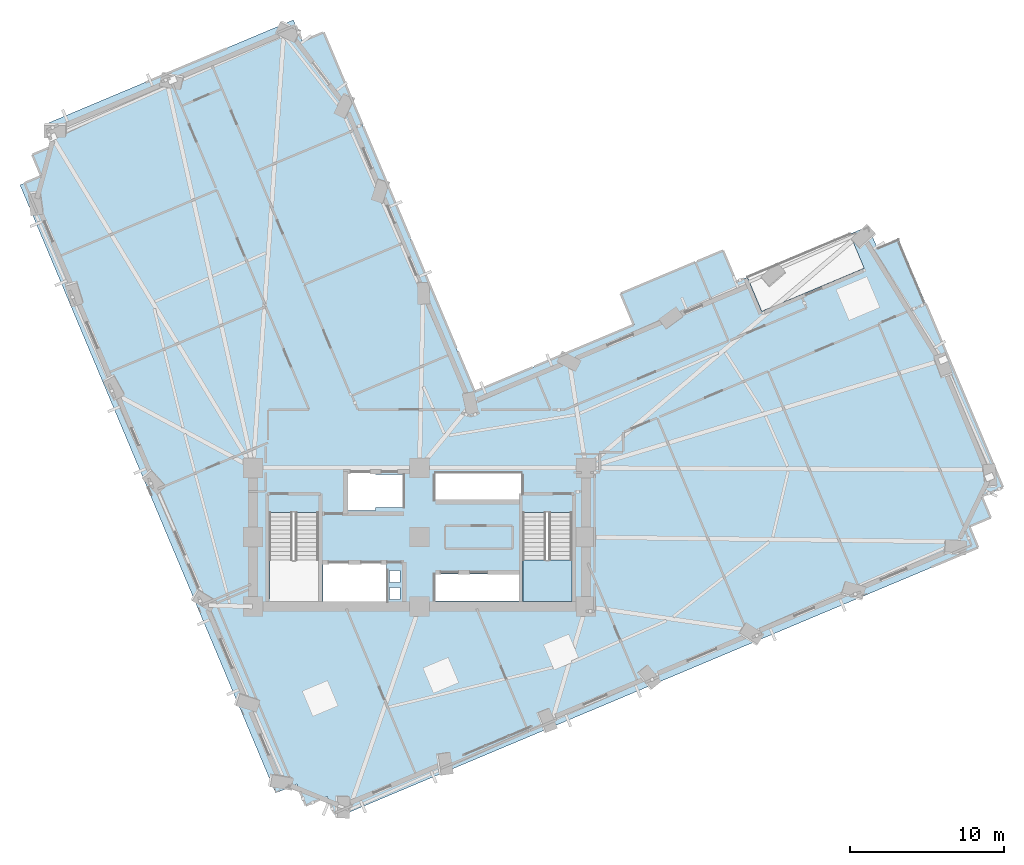
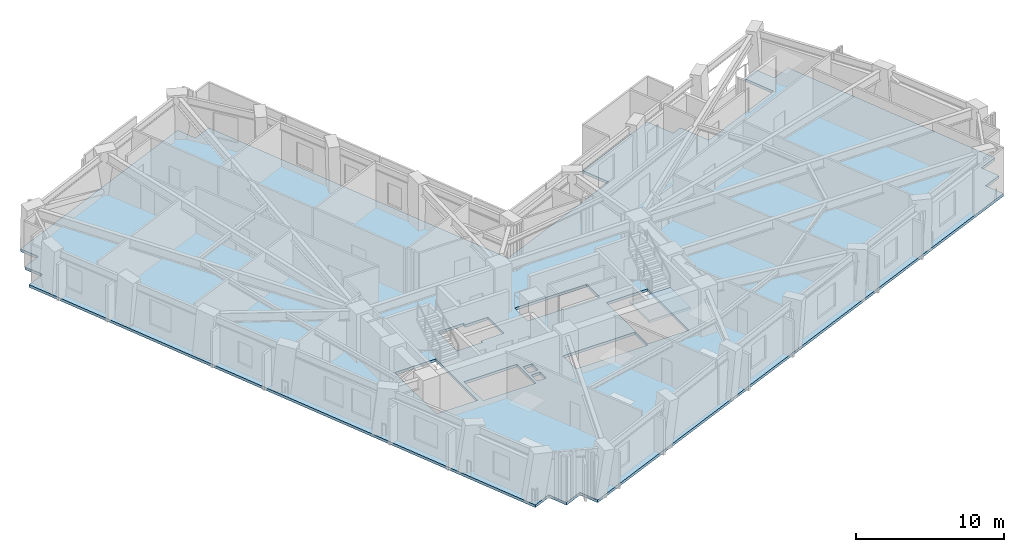
# One storey, part 7 of 18: 2 slabs, 1 element without a shape of its own.
"""IFC4 building model written with IfcOpenShell, lengths in metres."""

import ifcopenshell
import ifcopenshell.guid

model = None  # the IFC model being written
_history = None  # IfcOwnerHistory: only IFC2X3 demands one
_inside = {}  # id of a spatial element -> (the spatial element, [elements in it])
_under = {}  # id of a project, library or spatial element -> (it, [spatial elements below it])
_declared = {}  # id of a project -> (the project, [libraries it declares])
_typed = {}  # id of a type object -> (the type object, [elements of that type])
_made_of = {}  # id of a material, layer set ... -> (it, [elements and type objects made of it])


def new_model(schema):
    """Start an empty IFC model of exactly this schema.

    Asked for "IFC4X3", IfcOpenShell would pick the latest addendum, in which some entities
    have other attributes; the version numbers below select the first issue.
    IFC2X3 requires an IfcOwnerHistory on every rooted entity: one is made here for all.
    """
    global model, _history
    if schema == "IFC4X3":
        model = ifcopenshell.file(schema_version=(4, 3, 0, 0))
    else:
        model = ifcopenshell.file(schema=schema)
    _inside.clear()
    _under.clear()
    _declared.clear()
    _typed.clear()
    _made_of.clear()
    _history = None
    if model.schema == "IFC2X3":
        org = make("IfcOrganization", Name="unknown")
        user = make(
            "IfcPersonAndOrganization",
            ThePerson=make("IfcPerson", FamilyName="unknown"),
            TheOrganization=org,
        )
        app = make(
            "IfcApplication",
            ApplicationDeveloper=org,
            Version="unknown",
            ApplicationFullName="unknown",
            ApplicationIdentifier="unknown",
        )
        _history = make(
            "IfcOwnerHistory",
            OwningUser=user,
            OwningApplication=app,
            ChangeAction="ADDED",
            CreationDate=0,
        )
    return model


def make(cls, **values):
    """One entity of the class cls with the attributes given. An attribute that is None is left unset."""
    return model.create_entity(
        cls, **{name: value for name, value in values.items() if value is not None}
    )


def rooted(cls, **values):
    """An entity with a GlobalId (a new one), such as an element, a storey or a relation."""
    return make(cls, GlobalId=ifcopenshell.guid.new(), OwnerHistory=_history, **values)


def si_unit(unit_type, name, prefix=None):
    """IfcSIUnit, for example si_unit("LENGTHUNIT", "METRE", prefix="MILLI")."""
    return make("IfcSIUnit", UnitType=unit_type, Prefix=prefix, Name=name)


def assignment(units):
    """IfcUnitAssignment: the units of a project."""
    return None if units is None else make("IfcUnitAssignment", Units=units)


def point(xyz):
    """IfcCartesianPoint."""
    return None if xyz is None else make("IfcCartesianPoint", Coordinates=xyz)


def direction(xyz):
    """IfcDirection."""
    return None if xyz is None else make("IfcDirection", DirectionRatios=xyz)


def frame(location, z_axis=None, x_axis=None):
    """IfcAxis2Placement3D, a coordinate frame: its origin and axes. An axis left out is left unset."""
    return make(
        "IfcAxis2Placement3D",
        Location=point(location),
        Axis=direction(z_axis),
        RefDirection=direction(x_axis),
    )


def origin():
    """The frame at (0, 0, 0) with its axes left unset."""
    return frame((0.0, 0.0, 0.0))


def place(relative_to, where):
    """IfcLocalPlacement: puts the frame where relative to a parent placement (None: the world)."""
    return make(
        "IfcLocalPlacement", PlacementRelTo=relative_to, RelativePlacement=where
    )


def context(
    kind, dimensions, precision=None, world=None, true_north=None, identifier=None
):
    """IfcGeometricRepresentationContext, for example the 3D "Model" context."""
    return make(
        "IfcGeometricRepresentationContext",
        ContextIdentifier=identifier,
        ContextType=kind,
        CoordinateSpaceDimension=dimensions,
        Precision=precision,
        WorldCoordinateSystem=world,
        TrueNorth=true_north,
    )


def subcontext(parent, identifier, kind, view, scale=None):
    """IfcGeometricRepresentationSubContext, for example "Body" below "Model"."""
    return make(
        "IfcGeometricRepresentationSubContext",
        ContextIdentifier=identifier,
        ContextType=kind,
        ParentContext=parent,
        TargetScale=scale,
        TargetView=view,
    )


def project(units=None, contexts=None):
    """IfcProject with its units and contexts."""
    return rooted(
        "IfcProject",
        Name="project",
        RepresentationContexts=contexts,
        UnitsInContext=assignment(units),
    )


def spatial(cls, under=None, at=None, **own):
    """A site, building, storey or space (cls), placed at a placement, below another one or the project."""
    s = rooted(cls, ObjectPlacement=at, **own)
    if under is not None:
        _under.setdefault(under.id(), (under, []))[1].append(s)
    return s


def polyline(points):
    """IfcPolyline through the points."""
    return make("IfcPolyline", Points=[point(p) for p in points])


def outline(outer, holes=None, kind="AREA"):
    """IfcArbitraryClosedProfileDef: a profile drawn as a closed curve; with holes, ...WithVoids."""
    if holes is None:
        return make("IfcArbitraryClosedProfileDef", ProfileType=kind, OuterCurve=outer)
    return make(
        "IfcArbitraryProfileDefWithVoids",
        ProfileType=kind,
        OuterCurve=outer,
        InnerCurves=holes,
    )


def extrude(swept, where, along, depth):
    """IfcExtrudedAreaSolid: the profile swept, set in the frame where, extruded along a direction by depth."""
    return make(
        "IfcExtrudedAreaSolid",
        SweptArea=swept,
        Position=where,
        ExtrudedDirection=direction(along),
        Depth=depth,
    )


def shape(context_of_items, identifier, shape_type, items):
    """IfcShapeRepresentation: the items that make up one representation, for example the "Body"."""
    return make(
        "IfcShapeRepresentation",
        ContextOfItems=context_of_items,
        RepresentationIdentifier=identifier,
        RepresentationType=shape_type,
        Items=items,
    )


def material(Name=None, Category=None):
    """IfcMaterial."""
    return make("IfcMaterial", Name=Name, Category=Category)


def layer(
    of_material, thickness, ventilated=None, Name=None, Category=None, Priority=None
):
    """IfcMaterialLayer: one layer of a wall or slab, of a material (None: an air gap)."""
    return make(
        "IfcMaterialLayer",
        Material=of_material,
        LayerThickness=thickness,
        IsVentilated=ventilated,
        Name=Name,
        Category=Category,
        Priority=Priority,
    )


def layer_set(layers, Name=None):
    """IfcMaterialLayerSet."""
    return make("IfcMaterialLayerSet", MaterialLayers=layers, LayerSetName=Name)


def made_of(thing, what):
    """Note that an element or type object is made of a material, layer set ...; save() writes the relation."""
    if what is not None:
        _made_of.setdefault(what.id(), (what, []))[1].append(thing)
    return thing


def type_object(cls, material=None, **own):
    """A type object (cls), such as IfcWallType, which elements share."""
    return made_of(rooted(cls, **own), material)


def element(
    cls,
    number,
    at=None,
    inside=None,
    cuts=None,
    type_object=None,
    material=None,
    context=None,
    identifier="Body",
    shape_type=None,
    held_by="IfcProductDefinitionShape",
    body=None,
    shapes=None,
    **own,
):
    """One element of the class cls, such as IfcWall. Its Tag is "e" and its number.

    at: its placement. inside: the storey or other place that contains it. cuts: it is an
    opening in that element (IfcRelVoidsElement). A single representation is given by context,
    identifier, shape_type and body (its items); several are given by shapes. held_by: the class
    of the entity that holds the representations. save() writes the other relations.
    """
    e = rooted(cls, Tag="e%d" % number, ObjectPlacement=at, **own)
    if body is not None:
        shapes = [shape(context, identifier, shape_type, body)]
    if shapes is not None:
        e.Representation = make(held_by, Representations=shapes)
    if inside is not None:
        _inside.setdefault(inside.id(), (inside, []))[1].append(e)
    if cuts is not None:
        rooted(
            "IfcRelVoidsElement", RelatingBuildingElement=cuts, RelatedOpeningElement=e
        )
    if type_object is not None:
        _typed.setdefault(type_object.id(), (type_object, []))[1].append(e)
    return made_of(e, material)


def aggregate(whole, parts):
    """IfcRelAggregates: a whole, such as a stair, and the parts it consists of."""
    return rooted("IfcRelAggregates", RelatingObject=whole, RelatedObjects=parts)


def save(model, path):
    """Write the relations noted so far, then the file.

    IfcRelAggregates (storeys below a building ...), IfcRelContainedInSpatialStructure (elements
    in a storey), IfcRelDefinesByType, IfcRelAssociatesMaterial and IfcRelDeclares: one each for
    every whole, place, type object, material and project.
    """
    for whole, parts in _under.values():
        aggregate(whole, parts)
    for where, things in _inside.values():
        rooted(
            "IfcRelContainedInSpatialStructure",
            RelatedElements=things,
            RelatingStructure=where,
        )
    for kind, things in _typed.values():
        rooted("IfcRelDefinesByType", RelatedObjects=things, RelatingType=kind)
    for what, things in _made_of.values():
        rooted("IfcRelAssociatesMaterial", RelatedObjects=things, RelatingMaterial=what)
    for by, libraries in _declared.values():
        rooted("IfcRelDeclares", RelatingContext=by, RelatedDefinitions=libraries)
    model.write(path)


model = new_model("IFC4")

# Units and contexts
model_context = context("Model", 3, precision=1e-05, world=origin(), true_north=direction((0.0, 1.0)))
body_context = subcontext(model_context, "Body", "Model", "MODEL_VIEW")
ifc_project = project(units=[si_unit("LENGTHUNIT", "METRE"), si_unit("AREAUNIT", "SQUARE_METRE"), si_unit("VOLUMEUNIT", "CUBIC_METRE"), si_unit("PLANEANGLEUNIT", "RADIAN"), si_unit("MASSUNIT", "GRAM", prefix="KILO")], contexts=[model_context])

# Site, building, storey
site_placement = place(None, origin())
site = spatial("IfcSite", under=ifc_project, at=site_placement, CompositionType="ELEMENT")
building_placement = place(site_placement, origin())
building = spatial("IfcBuilding", under=site, at=building_placement, Name="Gaonmaruhae Medical Tower", CompositionType="ELEMENT")
storey_placement = place(building_placement, frame((0.0, 0.0, 120.39990234375)))
storey = spatial("IfcBuildingStorey", under=building, at=storey_placement, Name="L28", CompositionType="ELEMENT", Elevation=120.39990234375)

# Slab
ifc_material = material(Name="Concrete C40/50", Category="concrete")
ifc_layer_1 = layer(ifc_material, 0.219970703125)
ifc_layer_set_1 = layer_set([ifc_layer_1], Name="Concrete C40/50")
slab_type_1 = type_object("IfcSlabType", Name="FS-220 Clinical Ward Composite Floor Slab", PredefinedType="FLOOR", material=ifc_layer_set_1)
slab_1_placement = place(storey_placement, frame((0.0, 0.0, -0.219970703125)))
element("IfcSlab", 1, at=slab_1_placement, inside=storey, type_object=slab_type_1, Name="L28 Structural Slab 1", PredefinedType="FLOOR", context=body_context, shape_type="SweptSolid", body=[
    extrude(outline(polyline([(54.49560546875, 31.0888671875), (55.87841796875, 31.670166015625), (62.659912109375, 15.53759765625), (61.277099609375, 14.956298828125), (61.8583984375, 13.573486328125), (60.4755859375, 12.9921875), (61.056884765625, 11.609375), (19.388916015625, -5.906494140625), (18.8076171875, -4.523681640625), (17.4248046875, -5.104736328125), (16.843505859375, -3.72216796875), (15.460693359375, -4.30322265625), (-1.125, 35.15234375), (0.2578125, 35.733642578125), (-0.323486328125, 37.116455078125), (1.059326171875, 37.69775390625), (0.47802734375, 39.08056640625), (16.610595703125, 45.862060546875), (17.19189453125, 44.479248046875), (18.57470703125, 45.060546875), (28.37890625, 21.7373046875), (38.709228515625, 26.079833984375), (37.856689453125, 28.10791015625), (44.494140625, 30.898193359375), (45.3466796875, 28.8701171875), (46.083984375, 29.179931640625), (47.01416015625, 26.967529296875), (53.651611328125, 29.7578125), (52.7216796875, 31.97021484375), (53.914306640625, 32.4716796875), (54.49560546875, 31.0888671875)]), holes=[polyline([(23.550048828125, 8.25), (22.85009765625, 8.25), (22.85009765625, 9.050048828125), (23.550048828125, 9.050048828125), (23.550048828125, 8.25)]), polyline([(25.824951171875, 9.925048828125), (31.425048828125, 9.925048828125), (31.425048828125, 8.175048828125), (25.824951171875, 8.175048828125), (25.824951171875, 9.925048828125)]), polyline([(22.64990234375, 10.625), (22.64990234375, 8.074951171875), (18.550048828125, 8.074951171875), (18.550048828125, 10.625), (22.64990234375, 10.625)]), polyline([(23.550048828125, 9.35009765625), (22.85009765625, 9.35009765625), (22.85009765625, 10.14990234375), (23.550048828125, 10.14990234375), (23.550048828125, 9.35009765625)]), polyline([(15.050048828125, 13.889892578125), (18.25, 13.889892578125), (18.25, 8.300048828125), (15.050048828125, 8.300048828125), (15.050048828125, 13.889892578125)]), polyline([(31.5, 13.889892578125), (34.699951171875, 13.889892578125), (34.699951171875, 8.300048828125), (31.5, 8.300048828125), (31.5, 13.889892578125)]), polyline([(21.949951171875, 14.22509765625), (21.949951171875, 14.02490234375), (19.949951171875, 14.02490234375), (19.949951171875, 16.574951171875), (21.949951171875, 16.574951171875), (21.949951171875, 16.375), (23.72509765625, 16.375), (23.72509765625, 14.22509765625), (21.949951171875, 14.22509765625)]), polyline([(25.824951171875, 16.425048828125), (31.425048828125, 16.425048828125), (31.425048828125, 14.675048828125), (25.824951171875, 14.675048828125), (25.824951171875, 16.425048828125)])]), origin(), (0.0, 0.0, 1.0), 0.219970703125),
])

# Stair, slab
stair_type = type_object("IfcStairType", Name="ST-T1 Primary Core Escape Dogleg Stair", PredefinedType="TWO_QUARTER_TURN_STAIR", material=ifc_material)
stair_placement = place(storey_placement, origin())
stair = element("IfcStair", 2, at=stair_placement, inside=storey, type_object=stair_type, Name="L28 Protected Escape Stair ST-02", PredefinedType="TWO_QUARTER_TURN_STAIR")
ifc_layer_2 = layer(ifc_material, 0.199951171875)
ifc_layer_set_2 = layer_set([ifc_layer_2], Name="Concrete C40/50")
slab_type_2 = type_object("IfcSlabType", Name="SL-200 Stair & Ramp Intermediate Concrete Landing", PredefinedType="LANDING", material=ifc_layer_set_2)
slab_2_placement = place(storey_placement, frame((0.0, 0.0, 1.800048828125)))
slab_2 = element("IfcSlab", 3, at=slab_2_placement, type_object=slab_type_2, Name="ST-02 landing 1", PredefinedType="LANDING", context=body_context, shape_type="SweptSolid", body=[
    extrude(outline(polyline([(31.5, 10.820068359375), (31.5, 8.12890625), (34.699951171875, 8.12890625), (34.699951171875, 10.820068359375), (31.5, 10.820068359375)])), origin(), (0.0, 0.0, 1.0), 0.199951171875),
])
aggregate(stair, [slab_2])

save(model, "model.ifc")
